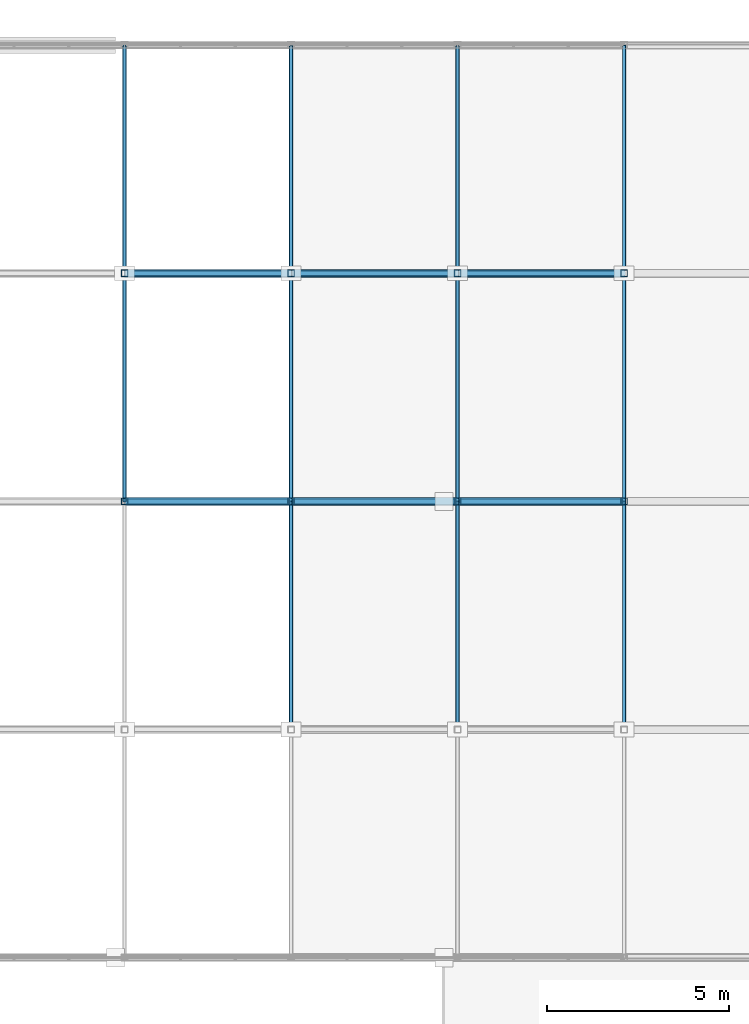
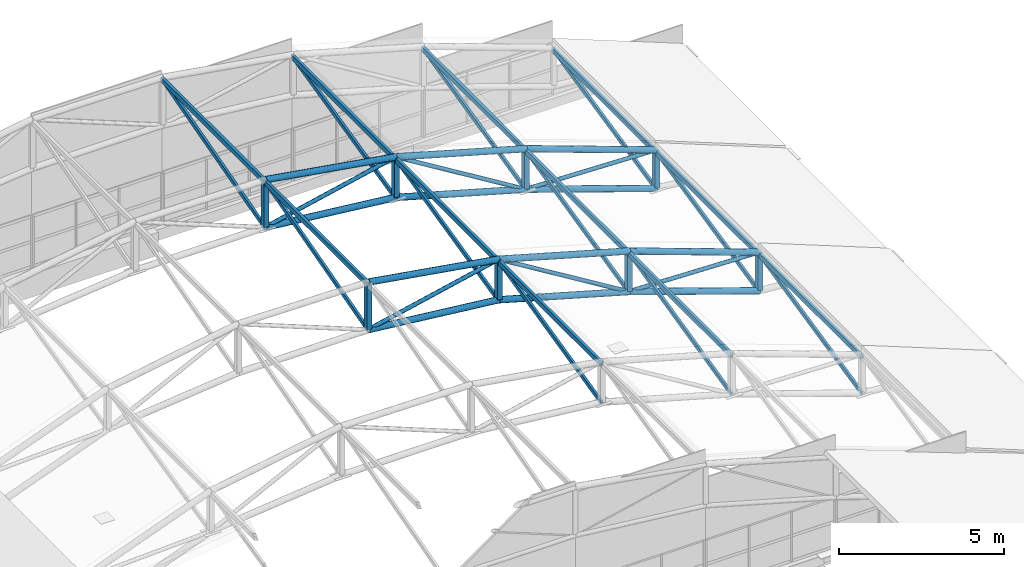
# One storey, part 70 of 101: 48 members.
"""IFC4 building model written with IfcOpenShell, lengths in metres."""

from ifc_helpers import new_model, si_unit, direction, frame, origin, origin_2d, place, context, subcontext, project, spatial, hollow_rectangle, hollow_circle, extrude, material, material_profile, profile_set, type_object, element, save


model = new_model("IFC4")

# Units and contexts
model_context = context("Model", 3, precision=1e-05, world=origin(), true_north=direction((0.0, 1.0)))
body_context = subcontext(model_context, "Body", "Model", "MODEL_VIEW")
ifc_project = project(units=[si_unit("LENGTHUNIT", "METRE"), si_unit("AREAUNIT", "SQUARE_METRE"), si_unit("VOLUMEUNIT", "CUBIC_METRE"), si_unit("PLANEANGLEUNIT", "RADIAN"), si_unit("MASSUNIT", "GRAM", prefix="KILO")], contexts=[model_context])

# Site, building, storey
site_placement = place(None, origin())
site = spatial("IfcSite", under=ifc_project, at=site_placement, CompositionType="ELEMENT")
building_placement = place(site_placement, origin())
building = spatial("IfcBuilding", under=site, at=building_placement, Name="Solvikara Media Centre", CompositionType="ELEMENT")
storey_placement = place(building_placement, frame((0.0, 0.0, 10.199951171875)))
storey = spatial("IfcBuildingStorey", under=building, at=storey_placement, Name="L02", CompositionType="ELEMENT", Elevation=10.199951171875)

# Members
ifc_material = material(Name="Steel S355JR", Category="steel")
ifc_material_profile_1 = material_profile(ifc_material, hollow_circle(Radius=0.109619140625, WallThickness=0.008056640625, at=origin_2d()), Name="CHS 219.1x8")
ifc_profile_set_1 = profile_set([ifc_material_profile_1], Name="Steel S355JR")
member_type_1 = type_object("IfcMemberType", Name="MB-05", PredefinedType="CHORD", material=ifc_profile_set_1)
member_1_placement = place(storey_placement, frame((145.75, 101.5, 5.41015625), z_axis=(0.986711742418, 0.0, -0.162480575373), x_axis=(0.0, 1.0, 0.0)))
element("IfcMember", 1, at=member_1_placement, inside=storey, type_object=member_type_1, Name="BSB-TC-02-04", PredefinedType="CHORD", context=body_context, shape_type="SweptSolid", body=[
    extrude(hollow_circle(Radius=0.109619140625, WallThickness=0.008056640625, at=origin_2d()), origin(), (0.0, 0.0, 1.0), 4.62353515625),
])
member_2_placement = place(storey_placement, frame((145.75, 101.5, 3.650146484375), z_axis=(0.994253057295, 0.0, -0.107055397157), x_axis=(0.0, 1.0, 0.0)))
element("IfcMember", 2, at=member_2_placement, inside=storey, type_object=member_type_1, Name="BSB-BC-02-04", PredefinedType="CHORD", context=body_context, shape_type="SweptSolid", body=[
    extrude(hollow_circle(Radius=0.109619140625, WallThickness=0.008056640625, at=origin_2d()), origin(), (0.0, 0.0, 1.0), 4.58837890625),
])
for number, where, z_axis, x_axis, name in (
    (3, (150.31201171875, 101.5, 4.658935546875), (0.962119975268, 0.0, -0.272626398556), (0.0, 1.0, 0.0), "BSB-TC-02-05"),
    (4, (150.31201171875, 101.5, 3.158935546875), (0.962119975268, 0.0, -0.272626398556), (0.0, 1.0, 0.0), "BSB-BC-02-05"),
):
    element("IfcMember", number, at=place(storey_placement, frame(where, z_axis=z_axis, x_axis=x_axis)), inside=storey, type_object=member_type_1, Name=name, PredefinedType="CHORD", context=body_context, shape_type="SweptSolid", body=[
        extrude(hollow_circle(Radius=0.109619140625, WallThickness=0.008056640625, at=origin_2d()), origin(), (0.0, 0.0, 1.0), 4.74267578125),
    ])
member_3_placement = place(storey_placement, frame((154.875, 101.5, 3.365966796875), z_axis=(0.940941951614, 0.0, -0.338567930691), x_axis=(0.0, 1.0, 0.0)))
element("IfcMember", 5, at=member_3_placement, inside=storey, type_object=member_type_1, Name="BSB-TC-02-06", PredefinedType="CHORD", context=body_context, shape_type="SweptSolid", body=[
    extrude(hollow_circle(Radius=0.109619140625, WallThickness=0.008056640625, at=origin_2d()), origin(), (0.0, 0.0, 1.0), 4.849365234375),
])
member_4_placement = place(storey_placement, frame((154.875, 101.5, 1.865966796875), z_axis=(0.94585275082, 0.0, -0.324596016252), x_axis=(0.0, 1.0, 0.0)))
element("IfcMember", 6, at=member_4_placement, inside=storey, type_object=member_type_1, Name="BSB-BC-02-06", PredefinedType="CHORD", context=body_context, shape_type="SweptSolid", body=[
    extrude(hollow_circle(Radius=0.109619140625, WallThickness=0.008056640625, at=origin_2d()), origin(), (0.0, 0.0, 1.0), 4.82421875),
])
member_5_placement = place(storey_placement, frame((145.75, 107.75, 5.41015625), z_axis=(0.986711742418, 0.0, -0.162480575373), x_axis=(0.0, 1.0, 0.0)))
element("IfcMember", 7, at=member_5_placement, inside=storey, type_object=member_type_1, Name="BSB-TC-03-04", PredefinedType="CHORD", context=body_context, shape_type="SweptSolid", body=[
    extrude(hollow_circle(Radius=0.109619140625, WallThickness=0.008056640625, at=origin_2d()), origin(), (0.0, 0.0, 1.0), 4.62353515625),
])
member_6_placement = place(storey_placement, frame((145.75, 107.75, 3.650146484375), z_axis=(0.994253057295, 0.0, -0.107055397157), x_axis=(0.0, 1.0, 0.0)))
element("IfcMember", 8, at=member_6_placement, inside=storey, type_object=member_type_1, Name="BSB-BC-03-04", PredefinedType="CHORD", context=body_context, shape_type="SweptSolid", body=[
    extrude(hollow_circle(Radius=0.109619140625, WallThickness=0.008056640625, at=origin_2d()), origin(), (0.0, 0.0, 1.0), 4.58837890625),
])
for number, where, z_axis, x_axis, name in (
    (9, (150.31201171875, 107.75, 4.658935546875), (0.962119975268, 0.0, -0.272626398556), (0.0, 1.0, 0.0), "BSB-TC-03-05"),
    (10, (150.31201171875, 107.75, 3.158935546875), (0.962119975268, 0.0, -0.272626398556), (0.0, 1.0, 0.0), "BSB-BC-03-05"),
):
    element("IfcMember", number, at=place(storey_placement, frame(where, z_axis=z_axis, x_axis=x_axis)), inside=storey, type_object=member_type_1, Name=name, PredefinedType="CHORD", context=body_context, shape_type="SweptSolid", body=[
        extrude(hollow_circle(Radius=0.109619140625, WallThickness=0.008056640625, at=origin_2d()), origin(), (0.0, 0.0, 1.0), 4.74267578125),
    ])
member_7_placement = place(storey_placement, frame((154.875, 107.75, 3.365966796875), z_axis=(0.940941951614, 0.0, -0.338567930691), x_axis=(0.0, 1.0, 0.0)))
element("IfcMember", 11, at=member_7_placement, inside=storey, type_object=member_type_1, Name="BSB-TC-03-06", PredefinedType="CHORD", context=body_context, shape_type="SweptSolid", body=[
    extrude(hollow_circle(Radius=0.109619140625, WallThickness=0.008056640625, at=origin_2d()), origin(), (0.0, 0.0, 1.0), 4.849365234375),
])
member_8_placement = place(storey_placement, frame((154.875, 107.75, 1.865966796875), z_axis=(0.94585275082, 0.0, -0.324596016252), x_axis=(0.0, 1.0, 0.0)))
element("IfcMember", 12, at=member_8_placement, inside=storey, type_object=member_type_1, Name="BSB-BC-03-06", PredefinedType="CHORD", context=body_context, shape_type="SweptSolid", body=[
    extrude(hollow_circle(Radius=0.109619140625, WallThickness=0.008056640625, at=origin_2d()), origin(), (0.0, 0.0, 1.0), 4.82421875),
])
ifc_material_profile_2 = material_profile(ifc_material, hollow_circle(Radius=0.06982421875, WallThickness=0.00634765625, at=origin_2d()), Name="CHS 139.7x6.3")
ifc_profile_set_2 = profile_set([ifc_material_profile_2], Name="Steel S355JR")
member_type_2 = type_object("IfcMemberType", Name="MB-08", PredefinedType="BRACE", material=ifc_profile_set_2)
member_9_placement = place(storey_placement, frame((145.75, 101.5, 3.650146484375), z_axis=(0.976412757167, 0.0, 0.215912314707), x_axis=(0.0, 1.0, 0.0)))
element("IfcMember", 13, at=member_9_placement, inside=storey, type_object=member_type_2, Name="BSB-DG-02-04", PredefinedType="BRACE", context=body_context, shape_type="SweptSolid", body=[
    extrude(hollow_circle(Radius=0.06982421875, WallThickness=0.00634765625, at=origin_2d()), origin(), (0.0, 0.0, 1.0), 4.672119140625),
])
member_10_placement = place(storey_placement, frame((150.31201171875, 101.5, 4.658935546875), z_axis=(0.852909361519, 0.0, -0.522059020641), x_axis=(0.0, 1.0, 0.0)))
element("IfcMember", 14, at=member_10_placement, inside=storey, type_object=member_type_2, Name="BSB-DG-02-05", PredefinedType="BRACE", context=body_context, shape_type="SweptSolid", body=[
    extrude(hollow_circle(Radius=0.06982421875, WallThickness=0.00634765625, at=origin_2d()), origin(), (0.0, 0.0, 1.0), 5.349853515625),
])
member_11_placement = place(storey_placement, frame((154.875, 101.5, 1.865966796875), z_axis=(0.999517175782, 0.0, -0.03107113318), x_axis=(0.0, 1.0, 0.0)))
element("IfcMember", 15, at=member_11_placement, inside=storey, type_object=member_type_2, Name="BSB-DG-02-06", PredefinedType="BRACE", context=body_context, shape_type="SweptSolid", body=[
    extrude(hollow_circle(Radius=0.06982421875, WallThickness=0.00634765625, at=origin_2d()), origin(), (0.0, 0.0, 1.0), 4.565185546875),
])
member_12_placement = place(storey_placement, frame((145.75, 107.75, 3.650146484375), z_axis=(0.976412757167, 0.0, 0.215912314707), x_axis=(0.0, 1.0, 0.0)))
element("IfcMember", 16, at=member_12_placement, inside=storey, type_object=member_type_2, Name="BSB-DG-03-04", PredefinedType="BRACE", context=body_context, shape_type="SweptSolid", body=[
    extrude(hollow_circle(Radius=0.06982421875, WallThickness=0.00634765625, at=origin_2d()), origin(), (0.0, 0.0, 1.0), 4.672119140625),
])
member_13_placement = place(storey_placement, frame((150.31201171875, 107.75, 4.658935546875), z_axis=(0.852909361519, 0.0, -0.522059020641), x_axis=(0.0, 1.0, 0.0)))
element("IfcMember", 17, at=member_13_placement, inside=storey, type_object=member_type_2, Name="BSB-DG-03-05", PredefinedType="BRACE", context=body_context, shape_type="SweptSolid", body=[
    extrude(hollow_circle(Radius=0.06982421875, WallThickness=0.00634765625, at=origin_2d()), origin(), (0.0, 0.0, 1.0), 5.349853515625),
])
member_14_placement = place(storey_placement, frame((154.875, 107.75, 1.865966796875), z_axis=(0.999517175782, 0.0, -0.03107113318), x_axis=(0.0, 1.0, 0.0)))
element("IfcMember", 18, at=member_14_placement, inside=storey, type_object=member_type_2, Name="BSB-DG-03-06", PredefinedType="BRACE", context=body_context, shape_type="SweptSolid", body=[
    extrude(hollow_circle(Radius=0.06982421875, WallThickness=0.00634765625, at=origin_2d()), origin(), (0.0, 0.0, 1.0), 4.565185546875),
])
ifc_material_profile_3 = material_profile(ifc_material, hollow_rectangle(XDim=0.179931640625, YDim=0.179931640625, WallThickness=0.008056640625, at=origin_2d()), Name="RHS 180x180x8")
ifc_profile_set_3 = profile_set([ifc_material_profile_3], Name="Steel S355JR")
member_type_3 = type_object("IfcMemberType", Name="MB-14", PredefinedType="BRACE", material=ifc_profile_set_3)
member_15_placement = place(storey_placement, frame((145.75, 101.5, 3.650146484375), z_axis=(0.0, 0.0, 1.0), x_axis=(1.0, 0.0, 0.0)))
element("IfcMember", 19, at=member_15_placement, inside=storey, type_object=member_type_3, Name="BSB-VT-02-04", PredefinedType="BRACE", context=body_context, shape_type="SweptSolid", body=[
    extrude(hollow_rectangle(XDim=0.179931640625, YDim=0.179931640625, WallThickness=0.008056640625, at=origin_2d()), origin(), (0.0, 0.0, 1.0), 1.760009765625),
])
for number, where, z_axis, x_axis, name in (
    (20, (150.31201171875, 101.5, 3.158935546875), (0.0, 0.0, 1.0), (1.0, 0.0, 0.0), "BSB-VT-02-05"),
    (21, (154.875, 101.5, 1.865966796875), (0.0, 0.0, 1.0), (1.0, 0.0, 0.0), "BSB-VT-02-06"),
):
    element("IfcMember", number, at=place(storey_placement, frame(where, z_axis=z_axis, x_axis=x_axis)), inside=storey, type_object=member_type_3, Name=name, PredefinedType="BRACE", context=body_context, shape_type="SweptSolid", body=[
        extrude(hollow_rectangle(XDim=0.179931640625, YDim=0.179931640625, WallThickness=0.008056640625, at=origin_2d()), origin(), (0.0, 0.0, 1.0), 1.5),
    ])
member_16_placement = place(storey_placement, frame((159.43798828125, 101.5, 0.300048828125), z_axis=(0.0, 0.0, 1.0), x_axis=(1.0, 0.0, 0.0)))
element("IfcMember", 22, at=member_16_placement, inside=storey, type_object=member_type_3, Name="BSB-VT-02-07", PredefinedType="BRACE", context=body_context, shape_type="SweptSolid", body=[
    extrude(hollow_rectangle(XDim=0.179931640625, YDim=0.179931640625, WallThickness=0.008056640625, at=origin_2d()), origin(), (0.0, 0.0, 1.0), 1.424072265625),
])
member_17_placement = place(storey_placement, frame((145.75, 107.75, 3.650146484375), z_axis=(0.0, 0.0, 1.0), x_axis=(1.0, 0.0, 0.0)))
element("IfcMember", 23, at=member_17_placement, inside=storey, type_object=member_type_3, Name="BSB-VT-03-04", PredefinedType="BRACE", context=body_context, shape_type="SweptSolid", body=[
    extrude(hollow_rectangle(XDim=0.179931640625, YDim=0.179931640625, WallThickness=0.008056640625, at=origin_2d()), origin(), (0.0, 0.0, 1.0), 1.760009765625),
])
for number, where, z_axis, x_axis, name in (
    (24, (150.31201171875, 107.75, 3.158935546875), (0.0, 0.0, 1.0), (1.0, 0.0, 0.0), "BSB-VT-03-05"),
    (25, (154.875, 107.75, 1.865966796875), (0.0, 0.0, 1.0), (1.0, 0.0, 0.0), "BSB-VT-03-06"),
):
    element("IfcMember", number, at=place(storey_placement, frame(where, z_axis=z_axis, x_axis=x_axis)), inside=storey, type_object=member_type_3, Name=name, PredefinedType="BRACE", context=body_context, shape_type="SweptSolid", body=[
        extrude(hollow_rectangle(XDim=0.179931640625, YDim=0.179931640625, WallThickness=0.008056640625, at=origin_2d()), origin(), (0.0, 0.0, 1.0), 1.5),
    ])
member_18_placement = place(storey_placement, frame((159.43798828125, 107.75, 0.300048828125), z_axis=(0.0, 0.0, 1.0), x_axis=(1.0, 0.0, 0.0)))
element("IfcMember", 26, at=member_18_placement, inside=storey, type_object=member_type_3, Name="BSB-VT-03-07", PredefinedType="BRACE", context=body_context, shape_type="SweptSolid", body=[
    extrude(hollow_rectangle(XDim=0.179931640625, YDim=0.179931640625, WallThickness=0.008056640625, at=origin_2d()), origin(), (0.0, 0.0, 1.0), 1.424072265625),
])
ifc_material_profile_4 = material_profile(ifc_material, hollow_rectangle(XDim=0.10009765625, YDim=0.179931640625, WallThickness=0.0048828125, at=origin_2d()), Name="RHS 180x100x5")
ifc_profile_set_4 = profile_set([ifc_material_profile_4], Name="Steel S355JR")
member_type_4 = type_object("IfcMemberType", Name="MB-18", PredefinedType="PURLIN", material=ifc_profile_set_4)
for number, where, z_axis, x_axis, name in (
    (27, (150.31201171875, 95.25, 4.593994140625), (0.0, 1.0, 0.0), (-1.0, 0.0, 0.0), "BSB-PRL-01-05"),
    (28, (154.875, 95.25, 3.301025390625), (0.0, 1.0, 0.0), (-1.0, 0.0, 0.0), "BSB-PRL-01-06"),
    (29, (159.43798828125, 95.25, 1.658935546875), (0.0, 1.0, 0.0), (-1.0, 0.0, 0.0), "BSB-PRL-01-07"),
    (30, (145.75, 101.5, 5.344970703125), (0.0, 1.0, 0.0), (-1.0, 0.0, 0.0), "BSB-PRL-02-04"),
    (31, (150.31201171875, 101.5, 4.593994140625), (0.0, 1.0, 0.0), (-1.0, 0.0, 0.0), "BSB-PRL-02-05"),
    (32, (154.875, 101.5, 3.301025390625), (0.0, 1.0, 0.0), (-1.0, 0.0, 0.0), "BSB-PRL-02-06"),
    (33, (159.43798828125, 101.5, 1.658935546875), (0.0, 1.0, 0.0), (-1.0, 0.0, 0.0), "BSB-PRL-02-07"),
    (34, (145.75, 107.75, 5.344970703125), (0.0, 1.0, 0.0), (-1.0, 0.0, 0.0), "BSB-PRL-03-04"),
    (35, (150.31201171875, 107.75, 4.593994140625), (0.0, 1.0, 0.0), (-1.0, 0.0, 0.0), "BSB-PRL-03-05"),
    (36, (154.875, 107.75, 3.301025390625), (0.0, 1.0, 0.0), (-1.0, 0.0, 0.0), "BSB-PRL-03-06"),
    (37, (159.43798828125, 107.75, 1.658935546875), (0.0, 1.0, 0.0), (-1.0, 0.0, 0.0), "BSB-PRL-03-07"),
):
    element("IfcMember", number, at=place(storey_placement, frame(where, z_axis=z_axis, x_axis=x_axis)), inside=storey, type_object=member_type_4, Name=name, PredefinedType="PURLIN", context=body_context, shape_type="SweptSolid", body=[
        extrude(hollow_rectangle(XDim=0.10009765625, YDim=0.179931640625, WallThickness=0.0048828125, at=origin_2d()), origin(), (0.0, 0.0, 1.0), 6.25),
    ])
ifc_material_profile_5 = material_profile(ifc_material, hollow_rectangle(XDim=0.080078125, YDim=0.14990234375, WallThickness=0.0048828125, at=origin_2d()), Name="RHS 150x80x5")
ifc_profile_set_5 = profile_set([ifc_material_profile_5], Name="Steel S355JR")
member_type_5 = type_object("IfcMemberType", Name="MB-27", PredefinedType="PURLIN", material=ifc_profile_set_5)
for number, where, z_axis, x_axis, name in (
    (38, (150.31201171875, 95.25, 3.158935546875), (0.0, 0.973607860399, 0.228227373838), (-1.0, 0.0, 0.0), "BSB-3D-01-05"),
    (39, (154.875, 95.25, 1.865966796875), (0.0, 0.973607860399, 0.228227373838), (-1.0, 0.0, 0.0), "BSB-3D-01-06"),
):
    element("IfcMember", number, at=place(storey_placement, frame(where, z_axis=z_axis, x_axis=x_axis)), inside=storey, type_object=member_type_5, Name=name, PredefinedType="PURLIN", context=body_context, shape_type="SweptSolid", body=[
        extrude(hollow_rectangle(XDim=0.080078125, YDim=0.14990234375, WallThickness=0.0048828125, at=origin_2d()), origin(), (0.0, 0.0, 1.0), 6.41943359375),
    ])
member_19_placement = place(storey_placement, frame((159.43798828125, 95.25, 0.300048828125), z_axis=(0.0, 0.976186162946, 0.216934495351), x_axis=(-1.0, 0.0, 0.0)))
element("IfcMember", 40, at=member_19_placement, inside=storey, type_object=member_type_5, Name="BSB-3D-01-07", PredefinedType="PURLIN", context=body_context, shape_type="SweptSolid", body=[
    extrude(hollow_rectangle(XDim=0.080078125, YDim=0.14990234375, WallThickness=0.0048828125, at=origin_2d()), origin(), (0.0, 0.0, 1.0), 6.402587890625),
])
member_20_placement = place(storey_placement, frame((145.75, 101.5, 3.650146484375), z_axis=(0.0, 0.963964319598, 0.266031559295), x_axis=(-1.0, 0.0, 0.0)))
element("IfcMember", 41, at=member_20_placement, inside=storey, type_object=member_type_5, Name="BSB-3D-02-04", PredefinedType="PURLIN", context=body_context, shape_type="SweptSolid", body=[
    extrude(hollow_rectangle(XDim=0.080078125, YDim=0.14990234375, WallThickness=0.0048828125, at=origin_2d()), origin(), (0.0, 0.0, 1.0), 6.483642578125),
])
for number, where, z_axis, x_axis, name in (
    (42, (150.31201171875, 101.5, 3.158935546875), (0.0, 0.973607860399, 0.228227373838), (-1.0, 0.0, 0.0), "BSB-3D-02-05"),
    (43, (154.875, 101.5, 1.865966796875), (0.0, 0.973607860399, 0.228227373838), (-1.0, 0.0, 0.0), "BSB-3D-02-06"),
):
    element("IfcMember", number, at=place(storey_placement, frame(where, z_axis=z_axis, x_axis=x_axis)), inside=storey, type_object=member_type_5, Name=name, PredefinedType="PURLIN", context=body_context, shape_type="SweptSolid", body=[
        extrude(hollow_rectangle(XDim=0.080078125, YDim=0.14990234375, WallThickness=0.0048828125, at=origin_2d()), origin(), (0.0, 0.0, 1.0), 6.41943359375),
    ])
member_21_placement = place(storey_placement, frame((159.43798828125, 101.5, 0.300048828125), z_axis=(0.0, 0.976186162946, 0.216934495351), x_axis=(-1.0, 0.0, 0.0)))
element("IfcMember", 44, at=member_21_placement, inside=storey, type_object=member_type_5, Name="BSB-3D-02-07", PredefinedType="PURLIN", context=body_context, shape_type="SweptSolid", body=[
    extrude(hollow_rectangle(XDim=0.080078125, YDim=0.14990234375, WallThickness=0.0048828125, at=origin_2d()), origin(), (0.0, 0.0, 1.0), 6.402587890625),
])
member_22_placement = place(storey_placement, frame((145.75, 107.75, 3.650146484375), z_axis=(0.0, 0.963964319598, 0.266031559295), x_axis=(-1.0, 0.0, 0.0)))
element("IfcMember", 45, at=member_22_placement, inside=storey, type_object=member_type_5, Name="BSB-3D-03-04", PredefinedType="PURLIN", context=body_context, shape_type="SweptSolid", body=[
    extrude(hollow_rectangle(XDim=0.080078125, YDim=0.14990234375, WallThickness=0.0048828125, at=origin_2d()), origin(), (0.0, 0.0, 1.0), 6.483642578125),
])
for number, where, z_axis, x_axis, name in (
    (46, (150.31201171875, 107.75, 3.158935546875), (0.0, 0.973607860399, 0.228227373838), (-1.0, 0.0, 0.0), "BSB-3D-03-05"),
    (47, (154.875, 107.75, 1.865966796875), (0.0, 0.973607860399, 0.228227373838), (-1.0, 0.0, 0.0), "BSB-3D-03-06"),
):
    element("IfcMember", number, at=place(storey_placement, frame(where, z_axis=z_axis, x_axis=x_axis)), inside=storey, type_object=member_type_5, Name=name, PredefinedType="PURLIN", context=body_context, shape_type="SweptSolid", body=[
        extrude(hollow_rectangle(XDim=0.080078125, YDim=0.14990234375, WallThickness=0.0048828125, at=origin_2d()), origin(), (0.0, 0.0, 1.0), 6.41943359375),
    ])
member_23_placement = place(storey_placement, frame((159.43798828125, 107.75, 0.300048828125), z_axis=(0.0, 0.976186162946, 0.216934495351), x_axis=(-1.0, 0.0, 0.0)))
element("IfcMember", 48, at=member_23_placement, inside=storey, type_object=member_type_5, Name="BSB-3D-03-07", PredefinedType="PURLIN", context=body_context, shape_type="SweptSolid", body=[
    extrude(hollow_rectangle(XDim=0.080078125, YDim=0.14990234375, WallThickness=0.0048828125, at=origin_2d()), origin(), (0.0, 0.0, 1.0), 6.402587890625),
])

save(model, "model.ifc")
